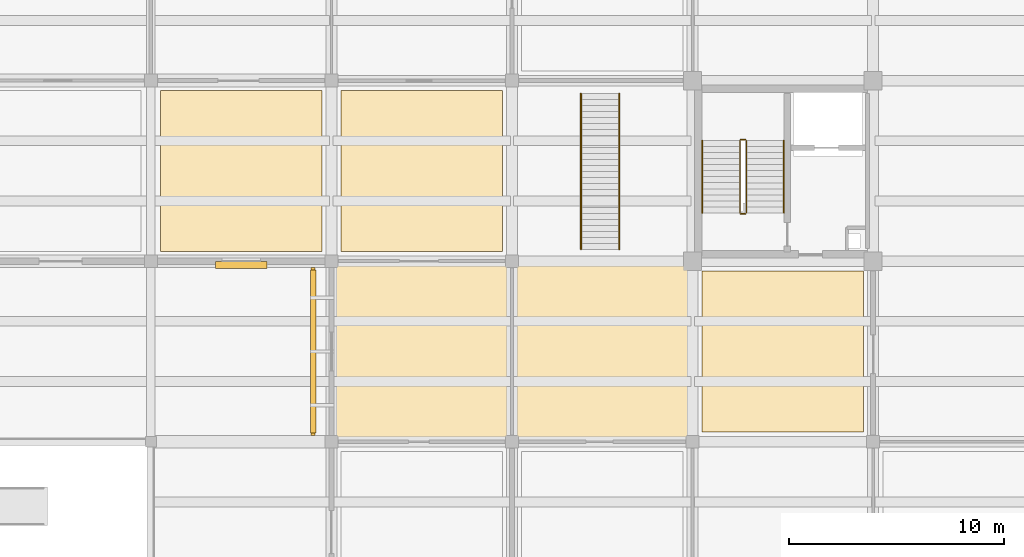
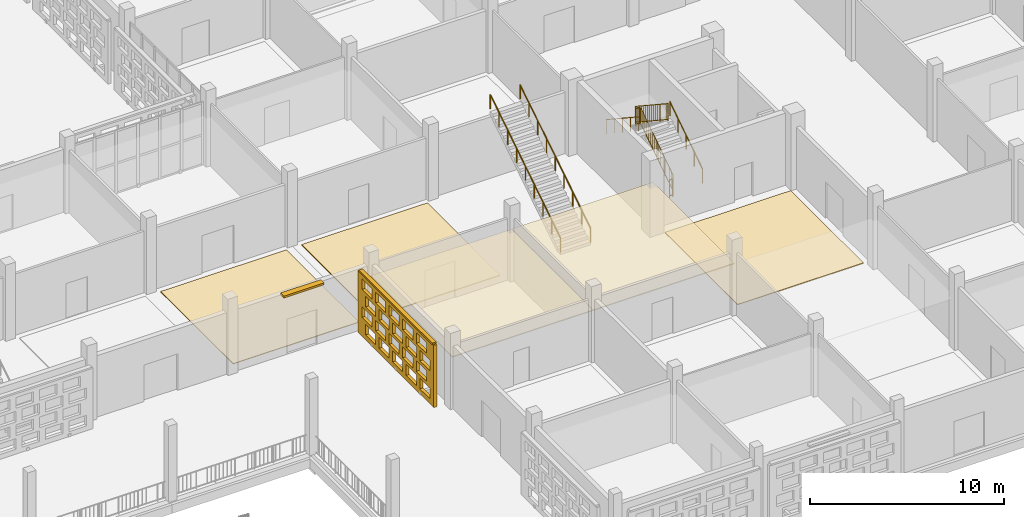
# One storey, part 112 of 129: 8 railings, 6 coverings, 2 shading devices, 20 openings.
"""IFC4 building model written with IfcOpenShell, lengths in metres."""

from ifc_helpers import new_model, si_unit, direction, frame, frame_2d, origin, origin_2d, place, context, subcontext, project, spatial, rectangle, circle, extrude, material, layer, layer_set, type_object, element, save


model = new_model("IFC4")

# Units and contexts
model_context = context("Model", 3, precision=1e-05, world=origin(), true_north=direction((0.0, 1.0)))
body_context = subcontext(model_context, "Body", "Model", "MODEL_VIEW")
ifc_project = project(units=[si_unit("LENGTHUNIT", "METRE"), si_unit("AREAUNIT", "SQUARE_METRE"), si_unit("VOLUMEUNIT", "CUBIC_METRE"), si_unit("PLANEANGLEUNIT", "RADIAN"), si_unit("MASSUNIT", "GRAM", prefix="KILO")], contexts=[model_context])

# Site, building, storey
site_placement = place(None, origin())
site = spatial("IfcSite", under=ifc_project, at=site_placement, CompositionType="ELEMENT")
building_placement = place(site_placement, origin())
building = spatial("IfcBuilding", under=site, at=building_placement, Name="Varnapada Polytechnic", CompositionType="ELEMENT")
storey_placement = place(building_placement, origin())
storey = spatial("IfcBuildingStorey", under=building, at=storey_placement, Name="L00", CompositionType="ELEMENT", Elevation=0.0)

# Coverings
ifc_material_1 = material(Name="End-Grain Timber Studio Block Flooring", Category="wood")
ifc_layer_1 = layer(ifc_material_1, 0.054931640625)
ifc_layer_set_1 = layer_set([ifc_layer_1], Name="End-Grain Timber Studio Block Flooring")
covering_type_1 = type_object("IfcCoveringType", Name="Floor Finish FLR-04", PredefinedType="FLOORING", material=ifc_layer_set_1)
covering_1_placement = place(storey_placement, frame((138.60009765625, 29.39990234375, 0.0), z_axis=(0.0, 0.0, 1.0), x_axis=(1.0, 0.0, 0.0)))
element("IfcCovering", 1, at=covering_1_placement, inside=storey, type_object=covering_type_1, Name="L00 floor finish panel (17,4)", PredefinedType="FLOORING", context=body_context, shape_type="SweptSolid", body=[
    extrude(rectangle(XDim=7.5, YDim=7.5, at=origin_2d()), origin(), (0.0, 0.0, 1.0), 0.054931640625),
])
ifc_material_2 = material(Name="Acoustic Rubber Seminar Flooring")
ifc_layer_2 = layer(ifc_material_2, 0.0400390625)
ifc_layer_set_2 = layer_set([ifc_layer_2], Name="Acoustic Rubber Seminar Flooring")
covering_type_2 = type_object("IfcCoveringType", Name="Floor Finish FLR-06", PredefinedType="FLOORING", material=ifc_layer_set_2)
for number, where, z_axis, x_axis, name in (
    (2, (130.199951171875, 29.39990234375, 0.0), (0.0, 0.0, 1.0), (1.0, 0.0, 0.0), "L00 floor finish panel (16,4)"),
    (3, (155.39990234375, 21.0, 0.0), (0.0, 0.0, 1.0), (1.0, 0.0, 0.0), "L00 floor finish panel (19,3)"),
):
    element("IfcCovering", number, at=place(storey_placement, frame(where, z_axis=z_axis, x_axis=x_axis)), inside=storey, type_object=covering_type_2, Name=name, PredefinedType="FLOORING", context=body_context, shape_type="SweptSolid", body=[
        extrude(rectangle(XDim=7.5, YDim=7.5, at=origin_2d()), origin(), (0.0, 0.0, 1.0), 0.0400390625),
    ])

# Shading device
ifc_material_3 = material(Name="Anodised aluminium", Category="aluminium")
ifc_layer_3 = layer(ifc_material_3, 0.35009765625)
ifc_layer_set_3 = layer_set([ifc_layer_3], Name="Anodised aluminium")
shading_device_type_1 = type_object("IfcShadingDeviceType", Name="Solar Louvre LVR-01", PredefinedType="JALOUSIE", material=ifc_layer_set_3)
shading_device_1_placement = place(storey_placement, frame((130.199951171875, 25.02001953125, 3.760009765625), z_axis=(0.0, 0.0, 1.0), x_axis=(-1.0, 0.0, 0.0)))
element("IfcShadingDevice", 4, at=shading_device_1_placement, inside=storey, type_object=shading_device_type_1, Name="L00 aluminium sun louvre 76", PredefinedType="JALOUSIE", context=body_context, shape_type="SweptSolid", body=[
    extrude(rectangle(XDim=2.39990234375, YDim=0.340087890625, at=origin_2d()), origin(), (0.0, 0.0, 1.0), 0.1201171875),
])

# Railings
ifc_material_4 = material(Name="Brushed Stainless Steel 316", Category="steel")
railing_type_1 = type_object("IfcRailingType", Name="Stair Wall Handrail SHR-01", PredefinedType="HANDRAIL", material=ifc_material_4)
railing_1_placement = place(storey_placement, frame((155.449951171875, 27.449951171875, 0.1845703125)))
element("IfcRailing", 5, at=railing_1_placement, inside=storey, type_object=railing_type_1, Name="L00 ST-6 stair handrail 1", PredefinedType="HANDRAIL", context=body_context, shape_type="SweptSolid", body=[
    extrude(circle(Radius=0.02392578125, at=origin_2d()), frame((0.0, 0.0, 0.8759765625), z_axis=(0.0, 0.834876476806, 0.550437342915), x_axis=(-1.0, 0.0, 0.0)), (0.0, 0.0, 1.0), 4.024658203125),
    extrude(circle(Radius=0.02099609375, at=origin_2d()), origin(), (0.0, 0.0, 1.0), 0.851806640625),
    extrude(circle(Radius=0.02099609375, at=origin_2d()), frame((0.0, 0.840087890625, 0.5537109375)), (0.0, 0.0, 1.0), 0.851806640625),
    extrude(circle(Radius=0.02099609375, at=origin_2d()), frame((0.0, 1.68017578125, 1.107666015625)), (0.0, 0.0, 1.0), 0.851806640625),
    extrude(circle(Radius=0.02099609375, at=origin_2d()), frame((0.0, 2.52001953125, 1.66162109375)), (0.0, 0.0, 1.0), 0.851806640625),
    extrude(circle(Radius=0.02099609375, at=origin_2d()), frame((0.0, 3.360107421875, 2.21533203125)), (0.0, 0.0, 1.0), 0.851806640625),
])
railing_2_placement = place(storey_placement, frame((151.64990234375, 30.81005859375, 2.584716796875)))
element("IfcRailing", 6, at=railing_2_placement, inside=storey, type_object=railing_type_1, Name="L00 ST-6 stair handrail 2", PredefinedType="HANDRAIL", context=body_context, shape_type="SweptSolid", body=[
    extrude(circle(Radius=0.02392578125, at=origin_2d()), frame((0.0, 0.0, 0.8759765625), z_axis=(0.0, -0.834876476806, 0.550437342915), x_axis=(1.0, 0.0, 0.0)), (0.0, 0.0, 1.0), 4.024658203125),
    extrude(circle(Radius=0.02099609375, at=origin_2d()), origin(), (0.0, 0.0, 1.0), 0.851806640625),
    extrude(circle(Radius=0.02099609375, at=origin_2d()), frame((0.0, -0.840087890625, 0.5537109375)), (0.0, 0.0, 1.0), 0.851806640625),
    extrude(circle(Radius=0.02099609375, at=origin_2d()), frame((0.0, -1.68017578125, 1.107666015625)), (0.0, 0.0, 1.0), 0.851806640625),
    extrude(circle(Radius=0.02099609375, at=origin_2d()), frame((0.0, -2.52001953125, 1.66162109375)), (0.0, 0.0, 1.0), 0.851806640625),
    extrude(circle(Radius=0.02099609375, at=origin_2d()), frame((0.0, -3.360107421875, 2.21533203125)), (0.0, 0.0, 1.0), 0.851806640625),
])
for number, where, name in (
    (7, (146.010009765625, 25.75, 0.177734375), "L00 commons stair ST-F2 handrail L"),
    (8, (147.7900390625, 25.75, 0.177734375), "L00 commons stair ST-F2 handrail R"),
):
    element("IfcRailing", number, at=place(storey_placement, frame(where)), inside=storey, type_object=railing_type_1, Name=name, PredefinedType="HANDRAIL", context=body_context, shape_type="SweptSolid", body=[
        extrude(circle(Radius=0.02392578125, at=origin_2d()), frame((0.0, 0.0, 0.8759765625), z_axis=(0.0, 0.84320402991, 0.537593679226), x_axis=(-1.0, 0.0, 0.0)), (0.0, 0.0, 1.0), 8.59814453125),
        extrude(circle(Radius=0.02099609375, at=origin_2d()), origin(), (0.0, 0.0, 1.0), 0.851806640625),
        extrude(circle(Radius=0.02099609375, at=origin_2d()), frame((0.0, 0.90625, 0.577880859375)), (0.0, 0.0, 1.0), 0.851806640625),
        extrude(circle(Radius=0.02099609375, at=origin_2d()), frame((0.0, 1.8125, 1.155517578125)), (0.0, 0.0, 1.0), 0.851806640625),
        extrude(circle(Radius=0.02099609375, at=origin_2d()), frame((0.0, 2.71875, 1.7333984375)), (0.0, 0.0, 1.0), 0.851806640625),
        extrude(circle(Radius=0.02099609375, at=origin_2d()), frame((0.0, 3.625, 2.31103515625)), (0.0, 0.0, 1.0), 0.851806640625),
        extrude(circle(Radius=0.02099609375, at=origin_2d()), frame((0.0, 4.53125, 2.888916015625)), (0.0, 0.0, 1.0), 0.851806640625),
        extrude(circle(Radius=0.02099609375, at=origin_2d()), frame((0.0, 5.4375, 3.466796875)), (0.0, 0.0, 1.0), 0.851806640625),
        extrude(circle(Radius=0.02099609375, at=origin_2d()), frame((0.0, 6.34375, 4.04443359375)), (0.0, 0.0, 1.0), 0.851806640625),
        extrude(circle(Radius=0.02099609375, at=origin_2d()), frame((0.0, 7.25, 4.622314453125)), (0.0, 0.0, 1.0), 0.851806640625),
    ])
railing_type_2 = type_object("IfcRailingType", Name="Stair Well Guard Rail SGR-01", PredefinedType="BALUSTRADE", material=ifc_material_4)
railing_3_placement = place(storey_placement, frame((153.699951171875, 27.449951171875, 0.1845703125)))
element("IfcRailing", 9, at=railing_3_placement, inside=storey, type_object=railing_type_2, Name="L00 ST-6 stair guard 1", PredefinedType="BALUSTRADE", context=body_context, shape_type="SweptSolid", body=[
    extrude(circle(Radius=0.02392578125, at=origin_2d()), frame((0.0, 0.0, 1.09619140625), z_axis=(0.0, 0.834876476806, 0.550437342915), x_axis=(-1.0, 0.0, 0.0)), (0.0, 0.0, 1.0), 4.024658203125),
    extrude(circle(Radius=0.02392578125, at=origin_2d()), frame((0.0, 0.0, 0.10009765625), z_axis=(0.0, 0.834876476806, 0.550437342915), x_axis=(-1.0, 0.0, 0.0)), (0.0, 0.0, 1.0), 4.024658203125),
    extrude(circle(Radius=0.02099609375, at=origin_2d()), origin(), (0.0, 0.0, 1.0), 1.072021484375),
    extrude(circle(Radius=0.02099609375, at=origin_2d()), frame((0.0, 0.840087890625, 0.5537109375)), (0.0, 0.0, 1.0), 1.072021484375),
    extrude(circle(Radius=0.02099609375, at=origin_2d()), frame((0.0, 1.68017578125, 1.107666015625)), (0.0, 0.0, 1.0), 1.072021484375),
    extrude(circle(Radius=0.02099609375, at=origin_2d()), frame((0.0, 2.52001953125, 1.66162109375)), (0.0, 0.0, 1.0), 1.072021484375),
    extrude(circle(Radius=0.02099609375, at=origin_2d()), frame((0.0, 3.360107421875, 2.21533203125)), (0.0, 0.0, 1.0), 1.072021484375),
    extrude(circle(Radius=0.010009765625, at=origin_2d()), frame((0.0, 0.2099609375, 0.238525390625)), (0.0, 0.0, 1.0), 0.971923828125),
    extrude(circle(Radius=0.010009765625, at=origin_2d()), frame((0.0, 0.419921875, 0.376953125)), (0.0, 0.0, 1.0), 0.971923828125),
    extrude(circle(Radius=0.010009765625, at=origin_2d()), frame((0.0, 0.630126953125, 0.515380859375)), (0.0, 0.0, 1.0), 0.971923828125),
    extrude(circle(Radius=0.010009765625, at=origin_2d()), frame((0.0, 0.840087890625, 0.65380859375)), (0.0, 0.0, 1.0), 0.971923828125),
    extrude(circle(Radius=0.010009765625, at=origin_2d()), frame((0.0, 1.050048828125, 0.79248046875)), (0.0, 0.0, 1.0), 0.971923828125),
    extrude(circle(Radius=0.010009765625, at=origin_2d()), frame((0.0, 1.260009765625, 0.930908203125)), (0.0, 0.0, 1.0), 0.971923828125),
    extrude(circle(Radius=0.010009765625, at=origin_2d()), frame((0.0, 1.469970703125, 1.0693359375)), (0.0, 0.0, 1.0), 0.971923828125),
    extrude(circle(Radius=0.010009765625, at=origin_2d()), frame((0.0, 1.68017578125, 1.207763671875)), (0.0, 0.0, 1.0), 0.971923828125),
    extrude(circle(Radius=0.010009765625, at=origin_2d()), frame((0.0, 1.89013671875, 1.34619140625)), (0.0, 0.0, 1.0), 0.971923828125),
    extrude(circle(Radius=0.010009765625, at=origin_2d()), frame((0.0, 2.10009765625, 1.484619140625)), (0.0, 0.0, 1.0), 0.971923828125),
    extrude(circle(Radius=0.010009765625, at=origin_2d()), frame((0.0, 2.31005859375, 1.623046875)), (0.0, 0.0, 1.0), 0.971923828125),
    extrude(circle(Radius=0.010009765625, at=origin_2d()), frame((0.0, 2.52001953125, 1.76171875)), (0.0, 0.0, 1.0), 0.971923828125),
    extrude(circle(Radius=0.010009765625, at=origin_2d()), frame((0.0, 2.72998046875, 1.900146484375)), (0.0, 0.0, 1.0), 0.971923828125),
    extrude(circle(Radius=0.010009765625, at=origin_2d()), frame((0.0, 2.940185546875, 2.03857421875)), (0.0, 0.0, 1.0), 0.971923828125),
    extrude(circle(Radius=0.010009765625, at=origin_2d()), frame((0.0, 3.150146484375, 2.177001953125)), (0.0, 0.0, 1.0), 0.971923828125),
])
railing_4_placement = place(storey_placement, frame((153.64990234375, 30.860107421875, 2.39990234375)))
element("IfcRailing", 10, at=railing_4_placement, inside=storey, type_object=railing_type_2, Name="L00 ST-6 stair guard 2", PredefinedType="BALUSTRADE", context=body_context, shape_type="SweptSolid", body=[
    extrude(circle(Radius=0.02392578125, at=origin_2d()), frame((0.0, 0.0, 1.09619140625), z_axis=(-1.0, 0.0, 0.0), x_axis=(0.0, -1.0, 0.0)), (0.0, 0.0, 1.0), 0.199951171875),
    extrude(circle(Radius=0.02392578125, at=origin_2d()), frame((0.0, 0.0, 0.10009765625), z_axis=(-1.0, 0.0, 0.0), x_axis=(0.0, -1.0, 0.0)), (0.0, 0.0, 1.0), 0.199951171875),
    extrude(circle(Radius=0.02099609375, at=origin_2d()), origin(), (0.0, 0.0, 1.0), 1.072021484375),
    extrude(circle(Radius=0.02099609375, at=origin_2d()), frame((-0.199951171875, 0.0, 0.0)), (0.0, 0.0, 1.0), 1.072021484375),
])
railing_5_placement = place(storey_placement, frame((153.39990234375, 30.81005859375, 2.584716796875)))
element("IfcRailing", 11, at=railing_5_placement, inside=storey, type_object=railing_type_2, Name="L00 ST-6 stair guard 3", PredefinedType="BALUSTRADE", context=body_context, shape_type="SweptSolid", body=[
    extrude(circle(Radius=0.02392578125, at=origin_2d()), frame((0.0, 0.0, 1.09619140625), z_axis=(0.0, -0.834876476806, 0.550437342915), x_axis=(1.0, 0.0, 0.0)), (0.0, 0.0, 1.0), 4.024658203125),
    extrude(circle(Radius=0.02392578125, at=origin_2d()), frame((0.0, 0.0, 0.10009765625), z_axis=(0.0, -0.834876476806, 0.550437342915), x_axis=(1.0, 0.0, 0.0)), (0.0, 0.0, 1.0), 4.024658203125),
    extrude(circle(Radius=0.02099609375, at=origin_2d()), origin(), (0.0, 0.0, 1.0), 1.072021484375),
    extrude(circle(Radius=0.02099609375, at=origin_2d()), frame((0.0, -0.840087890625, 0.5537109375)), (0.0, 0.0, 1.0), 1.072021484375),
    extrude(circle(Radius=0.02099609375, at=origin_2d()), frame((0.0, -1.68017578125, 1.107666015625)), (0.0, 0.0, 1.0), 1.072021484375),
    extrude(circle(Radius=0.02099609375, at=origin_2d()), frame((0.0, -2.52001953125, 1.66162109375)), (0.0, 0.0, 1.0), 1.072021484375),
    extrude(circle(Radius=0.02099609375, at=origin_2d()), frame((0.0, -3.360107421875, 2.21533203125)), (0.0, 0.0, 1.0), 1.072021484375),
    extrude(circle(Radius=0.010009765625, at=origin_2d()), frame((0.0, -0.2099609375, 0.238525390625)), (0.0, 0.0, 1.0), 0.971923828125),
    extrude(circle(Radius=0.010009765625, at=origin_2d()), frame((0.0, -0.419921875, 0.376953125)), (0.0, 0.0, 1.0), 0.971923828125),
    extrude(circle(Radius=0.010009765625, at=origin_2d()), frame((0.0, -0.630126953125, 0.515380859375)), (0.0, 0.0, 1.0), 0.971923828125),
    extrude(circle(Radius=0.010009765625, at=origin_2d()), frame((0.0, -0.840087890625, 0.65380859375)), (0.0, 0.0, 1.0), 0.971923828125),
    extrude(circle(Radius=0.010009765625, at=origin_2d()), frame((0.0, -1.050048828125, 0.79248046875)), (0.0, 0.0, 1.0), 0.971923828125),
    extrude(circle(Radius=0.010009765625, at=origin_2d()), frame((0.0, -1.260009765625, 0.930908203125)), (0.0, 0.0, 1.0), 0.971923828125),
    extrude(circle(Radius=0.010009765625, at=origin_2d()), frame((0.0, -1.469970703125, 1.0693359375)), (0.0, 0.0, 1.0), 0.971923828125),
    extrude(circle(Radius=0.010009765625, at=origin_2d()), frame((0.0, -1.68017578125, 1.207763671875)), (0.0, 0.0, 1.0), 0.971923828125),
    extrude(circle(Radius=0.010009765625, at=origin_2d()), frame((0.0, -1.89013671875, 1.34619140625)), (0.0, 0.0, 1.0), 0.971923828125),
    extrude(circle(Radius=0.010009765625, at=origin_2d()), frame((0.0, -2.10009765625, 1.484619140625)), (0.0, 0.0, 1.0), 0.971923828125),
    extrude(circle(Radius=0.010009765625, at=origin_2d()), frame((0.0, -2.31005859375, 1.623046875)), (0.0, 0.0, 1.0), 0.971923828125),
    extrude(circle(Radius=0.010009765625, at=origin_2d()), frame((0.0, -2.52001953125, 1.76171875)), (0.0, 0.0, 1.0), 0.971923828125),
    extrude(circle(Radius=0.010009765625, at=origin_2d()), frame((0.0, -2.72998046875, 1.900146484375)), (0.0, 0.0, 1.0), 0.971923828125),
    extrude(circle(Radius=0.010009765625, at=origin_2d()), frame((0.0, -2.940185546875, 2.03857421875)), (0.0, 0.0, 1.0), 0.971923828125),
    extrude(circle(Radius=0.010009765625, at=origin_2d()), frame((0.0, -3.150146484375, 2.177001953125)), (0.0, 0.0, 1.0), 0.971923828125),
])
railing_6_placement = place(storey_placement, frame((153.64990234375, 27.39990234375, 0.0)))
element("IfcRailing", 12, at=railing_6_placement, inside=storey, type_object=railing_type_2, Name="L00 ST-6 stair guard 4", PredefinedType="BALUSTRADE", context=body_context, shape_type="SweptSolid", body=[
    extrude(circle(Radius=0.02392578125, at=origin_2d()), frame((0.0, 0.0, 1.09619140625), z_axis=(-1.0, 0.0, 0.0), x_axis=(0.0, -1.0, 0.0)), (0.0, 0.0, 1.0), 0.199951171875),
    extrude(circle(Radius=0.02392578125, at=origin_2d()), frame((0.0, 0.0, 0.10009765625), z_axis=(-1.0, 0.0, 0.0), x_axis=(0.0, -1.0, 0.0)), (0.0, 0.0, 1.0), 0.199951171875),
    extrude(circle(Radius=0.02099609375, at=origin_2d()), origin(), (0.0, 0.0, 1.0), 1.072021484375),
    extrude(circle(Radius=0.02099609375, at=origin_2d()), frame((-0.199951171875, 0.0, 0.0)), (0.0, 0.0, 1.0), 1.072021484375),
])

# Coverings
ifc_material_5 = material(Name="Slatted Merbau Timber Acoustic Ceiling", Category="wood")
ifc_layer_4 = layer(ifc_material_5, 0.054931640625)
ifc_layer_set_4 = layer_set([ifc_layer_4], Name="Slatted Merbau Timber Acoustic Ceiling")
covering_type_3 = type_object("IfcCoveringType", Name="Suspended Ceiling CLG-05", PredefinedType="CEILING", material=ifc_layer_set_4)
for number, where, z_axis, x_axis, name in (
    (13, (138.60009765625, 21.0, 3.0224609375), (0.0, 0.0, 1.0), (1.0, 0.0, 0.0), "L00 suspended acoustic ceiling (17,3)"),
    (14, (147.0, 21.0, 3.0224609375), (0.0, 0.0, 1.0), (1.0, 0.0, 0.0), "L00 suspended acoustic ceiling (18,3)"),
):
    element("IfcCovering", number, at=place(storey_placement, frame(where, z_axis=z_axis, x_axis=x_axis)), inside=storey, type_object=covering_type_3, Name=name, PredefinedType="CEILING", context=body_context, shape_type="SweptSolid", body=[
        extrude(rectangle(XDim=8.419921875, YDim=8.419921875, at=origin_2d()), origin(), (0.0, 0.0, 1.0), 0.054931640625),
    ])

# Covering, openings
ifc_material_6 = material(Name="Earth-toned architectural terracotta screen block", Category="masonry")
ifc_layer_5 = layer(ifc_material_6, 0.1201171875)
ifc_layer_set_5 = layer_set([ifc_layer_5], Name="Earth-toned architectural terracotta screen block")
covering_type_4 = type_object("IfcCoveringType", Name="Terracotta Screen Cladding CLD-01", PredefinedType="CLADDING", material=ifc_layer_set_5)
covering_2_placement = place(storey_placement, frame((133.550048828125, 17.10009765625, 0.0), z_axis=(0.0, 0.0, 1.0), x_axis=(0.0, 1.0, 0.0)))
covering_2 = element("IfcCovering", 15, at=covering_2_placement, inside=storey, type_object=covering_type_4, Name="L00 perforated terracotta block screen (84)", PredefinedType="CLADDING", context=body_context, shape_type="SweptSolid", body=[
    extrude(rectangle(XDim=7.7998046875, YDim=0.179931640625, at=frame_2d((3.89990234375, 0.0))), origin(), (0.0, 0.0, 1.0), 3.919921875),
])
opening_1_placement = place(covering_2_placement, frame((0.39990234375, 0.0, 0.313720703125)))
element("IfcOpeningElement", 16, at=opening_1_placement, cuts=covering_2, Name="Screen perforation TBS-L00-083.1", PredefinedType="OPENING", context=body_context, shape_type="SweptSolid", body=[
    extrude(rectangle(XDim=1.0400390625, YDim=0.679931640625, at=frame_2d((0.52001953125, 0.33984375))), frame((0.0, 0.099853515625, 0.0), z_axis=(0.0, -1.0, 0.0), x_axis=(1.0, 0.0, 0.0)), (0.0, 0.0, 1.0), 0.199951171875),
])
opening_2_placement = place(covering_2_placement, frame((1.800048828125, 0.0, 0.313720703125)))
element("IfcOpeningElement", 17, at=opening_2_placement, cuts=covering_2, Name="Screen perforation TBS-L00-083.2", PredefinedType="OPENING", context=body_context, shape_type="SweptSolid", body=[
    extrude(rectangle(XDim=1.0400390625, YDim=0.679931640625, at=frame_2d((0.52001953125, 0.33984375))), frame((0.0, 0.099853515625, 0.0), z_axis=(0.0, -1.0, 0.0), x_axis=(1.0, 0.0, 0.0)), (0.0, 0.0, 1.0), 0.199951171875),
])
opening_3_placement = place(covering_2_placement, frame((3.199951171875, 0.0, 0.313720703125)))
element("IfcOpeningElement", 18, at=opening_3_placement, cuts=covering_2, Name="Screen perforation TBS-L00-083.3", PredefinedType="OPENING", context=body_context, shape_type="SweptSolid", body=[
    extrude(rectangle(XDim=1.0400390625, YDim=0.679931640625, at=frame_2d((0.52001953125, 0.33984375))), frame((0.0, 0.099853515625, 0.0), z_axis=(0.0, -1.0, 0.0), x_axis=(1.0, 0.0, 0.0)), (0.0, 0.0, 1.0), 0.199951171875),
])
opening_4_placement = place(covering_2_placement, frame((4.60009765625, 0.0, 0.313720703125)))
element("IfcOpeningElement", 19, at=opening_4_placement, cuts=covering_2, Name="Screen perforation TBS-L00-083.4", PredefinedType="OPENING", context=body_context, shape_type="SweptSolid", body=[
    extrude(rectangle(XDim=1.0400390625, YDim=0.679931640625, at=frame_2d((0.52001953125, 0.33984375))), frame((0.0, 0.099853515625, 0.0), z_axis=(0.0, -1.0, 0.0), x_axis=(1.0, 0.0, 0.0)), (0.0, 0.0, 1.0), 0.199951171875),
])
opening_5_placement = place(covering_2_placement, frame((6.0, 0.0, 0.313720703125)))
element("IfcOpeningElement", 20, at=opening_5_placement, cuts=covering_2, Name="Screen perforation TBS-L00-083.5", PredefinedType="OPENING", context=body_context, shape_type="SweptSolid", body=[
    extrude(rectangle(XDim=1.0400390625, YDim=0.679931640625, at=frame_2d((0.52001953125, 0.33984375))), frame((0.0, 0.099853515625, 0.0), z_axis=(0.0, -1.0, 0.0), x_axis=(1.0, 0.0, 0.0)), (0.0, 0.0, 1.0), 0.199951171875),
])
opening_6_placement = place(covering_2_placement, frame((0.760009765625, 0.0, 1.195556640625)))
element("IfcOpeningElement", 21, at=opening_6_placement, cuts=covering_2, Name="Screen perforation TBS-L00-083.6", PredefinedType="OPENING", context=body_context, shape_type="SweptSolid", body=[
    extrude(rectangle(XDim=1.0400390625, YDim=0.679931640625, at=frame_2d((0.52001953125, 0.33984375))), frame((0.0, 0.099853515625, 0.0), z_axis=(0.0, -1.0, 0.0), x_axis=(1.0, 0.0, 0.0)), (0.0, 0.0, 1.0), 0.199951171875),
])
opening_7_placement = place(covering_2_placement, frame((2.159912109375, 0.0, 1.195556640625)))
element("IfcOpeningElement", 22, at=opening_7_placement, cuts=covering_2, Name="Screen perforation TBS-L00-083.7", PredefinedType="OPENING", context=body_context, shape_type="SweptSolid", body=[
    extrude(rectangle(XDim=1.0400390625, YDim=0.679931640625, at=frame_2d((0.52001953125, 0.33984375))), frame((0.0, 0.099853515625, 0.0), z_axis=(0.0, -1.0, 0.0), x_axis=(1.0, 0.0, 0.0)), (0.0, 0.0, 1.0), 0.199951171875),
])
opening_8_placement = place(covering_2_placement, frame((3.56005859375, 0.0, 1.195556640625)))
element("IfcOpeningElement", 23, at=opening_8_placement, cuts=covering_2, Name="Screen perforation TBS-L00-083.8", PredefinedType="OPENING", context=body_context, shape_type="SweptSolid", body=[
    extrude(rectangle(XDim=1.0400390625, YDim=0.679931640625, at=frame_2d((0.52001953125, 0.33984375))), frame((0.0, 0.099853515625, 0.0), z_axis=(0.0, -1.0, 0.0), x_axis=(1.0, 0.0, 0.0)), (0.0, 0.0, 1.0), 0.199951171875),
])
opening_9_placement = place(covering_2_placement, frame((4.9599609375, 0.0, 1.195556640625)))
element("IfcOpeningElement", 24, at=opening_9_placement, cuts=covering_2, Name="Screen perforation TBS-L00-083.9", PredefinedType="OPENING", context=body_context, shape_type="SweptSolid", body=[
    extrude(rectangle(XDim=1.0400390625, YDim=0.679931640625, at=frame_2d((0.52001953125, 0.33984375))), frame((0.0, 0.099853515625, 0.0), z_axis=(0.0, -1.0, 0.0), x_axis=(1.0, 0.0, 0.0)), (0.0, 0.0, 1.0), 0.199951171875),
])
opening_10_placement = place(covering_2_placement, frame((6.360107421875, 0.0, 1.195556640625)))
element("IfcOpeningElement", 25, at=opening_10_placement, cuts=covering_2, Name="Screen perforation TBS-L00-083.10", PredefinedType="OPENING", context=body_context, shape_type="SweptSolid", body=[
    extrude(rectangle(XDim=1.0400390625, YDim=0.679931640625, at=frame_2d((0.52001953125, 0.33984375))), frame((0.0, 0.099853515625, 0.0), z_axis=(0.0, -1.0, 0.0), x_axis=(1.0, 0.0, 0.0)), (0.0, 0.0, 1.0), 0.199951171875),
])
opening_11_placement = place(covering_2_placement, frame((0.39990234375, 0.0, 2.07763671875)))
element("IfcOpeningElement", 26, at=opening_11_placement, cuts=covering_2, Name="Screen perforation TBS-L00-083.11", PredefinedType="OPENING", context=body_context, shape_type="SweptSolid", body=[
    extrude(rectangle(XDim=1.0400390625, YDim=0.679931640625, at=frame_2d((0.52001953125, 0.33984375))), frame((0.0, 0.099853515625, 0.0), z_axis=(0.0, -1.0, 0.0), x_axis=(1.0, 0.0, 0.0)), (0.0, 0.0, 1.0), 0.199951171875),
])
opening_12_placement = place(covering_2_placement, frame((1.800048828125, 0.0, 2.07763671875)))
element("IfcOpeningElement", 27, at=opening_12_placement, cuts=covering_2, Name="Screen perforation TBS-L00-083.12", PredefinedType="OPENING", context=body_context, shape_type="SweptSolid", body=[
    extrude(rectangle(XDim=1.0400390625, YDim=0.679931640625, at=frame_2d((0.52001953125, 0.33984375))), frame((0.0, 0.099853515625, 0.0), z_axis=(0.0, -1.0, 0.0), x_axis=(1.0, 0.0, 0.0)), (0.0, 0.0, 1.0), 0.199951171875),
])
opening_13_placement = place(covering_2_placement, frame((3.199951171875, 0.0, 2.07763671875)))
element("IfcOpeningElement", 28, at=opening_13_placement, cuts=covering_2, Name="Screen perforation TBS-L00-083.13", PredefinedType="OPENING", context=body_context, shape_type="SweptSolid", body=[
    extrude(rectangle(XDim=1.0400390625, YDim=0.679931640625, at=frame_2d((0.52001953125, 0.33984375))), frame((0.0, 0.099853515625, 0.0), z_axis=(0.0, -1.0, 0.0), x_axis=(1.0, 0.0, 0.0)), (0.0, 0.0, 1.0), 0.199951171875),
])
opening_14_placement = place(covering_2_placement, frame((4.60009765625, 0.0, 2.07763671875)))
element("IfcOpeningElement", 29, at=opening_14_placement, cuts=covering_2, Name="Screen perforation TBS-L00-083.14", PredefinedType="OPENING", context=body_context, shape_type="SweptSolid", body=[
    extrude(rectangle(XDim=1.0400390625, YDim=0.679931640625, at=frame_2d((0.52001953125, 0.33984375))), frame((0.0, 0.099853515625, 0.0), z_axis=(0.0, -1.0, 0.0), x_axis=(1.0, 0.0, 0.0)), (0.0, 0.0, 1.0), 0.199951171875),
])
opening_15_placement = place(covering_2_placement, frame((6.0, 0.0, 2.07763671875)))
element("IfcOpeningElement", 30, at=opening_15_placement, cuts=covering_2, Name="Screen perforation TBS-L00-083.15", PredefinedType="OPENING", context=body_context, shape_type="SweptSolid", body=[
    extrude(rectangle(XDim=1.0400390625, YDim=0.679931640625, at=frame_2d((0.52001953125, 0.33984375))), frame((0.0, 0.099853515625, 0.0), z_axis=(0.0, -1.0, 0.0), x_axis=(1.0, 0.0, 0.0)), (0.0, 0.0, 1.0), 0.199951171875),
])
opening_16_placement = place(covering_2_placement, frame((0.760009765625, 0.0, 2.959716796875)))
element("IfcOpeningElement", 31, at=opening_16_placement, cuts=covering_2, Name="Screen perforation TBS-L00-083.16", PredefinedType="OPENING", context=body_context, shape_type="SweptSolid", body=[
    extrude(rectangle(XDim=1.0400390625, YDim=0.679931640625, at=frame_2d((0.52001953125, 0.33984375))), frame((0.0, 0.099853515625, 0.0), z_axis=(0.0, -1.0, 0.0), x_axis=(1.0, 0.0, 0.0)), (0.0, 0.0, 1.0), 0.199951171875),
])
opening_17_placement = place(covering_2_placement, frame((2.159912109375, 0.0, 2.959716796875)))
element("IfcOpeningElement", 32, at=opening_17_placement, cuts=covering_2, Name="Screen perforation TBS-L00-083.17", PredefinedType="OPENING", context=body_context, shape_type="SweptSolid", body=[
    extrude(rectangle(XDim=1.0400390625, YDim=0.679931640625, at=frame_2d((0.52001953125, 0.33984375))), frame((0.0, 0.099853515625, 0.0), z_axis=(0.0, -1.0, 0.0), x_axis=(1.0, 0.0, 0.0)), (0.0, 0.0, 1.0), 0.199951171875),
])
opening_18_placement = place(covering_2_placement, frame((3.56005859375, 0.0, 2.959716796875)))
element("IfcOpeningElement", 33, at=opening_18_placement, cuts=covering_2, Name="Screen perforation TBS-L00-083.18", PredefinedType="OPENING", context=body_context, shape_type="SweptSolid", body=[
    extrude(rectangle(XDim=1.0400390625, YDim=0.679931640625, at=frame_2d((0.52001953125, 0.33984375))), frame((0.0, 0.099853515625, 0.0), z_axis=(0.0, -1.0, 0.0), x_axis=(1.0, 0.0, 0.0)), (0.0, 0.0, 1.0), 0.199951171875),
])
opening_19_placement = place(covering_2_placement, frame((4.9599609375, 0.0, 2.959716796875)))
element("IfcOpeningElement", 34, at=opening_19_placement, cuts=covering_2, Name="Screen perforation TBS-L00-083.19", PredefinedType="OPENING", context=body_context, shape_type="SweptSolid", body=[
    extrude(rectangle(XDim=1.0400390625, YDim=0.679931640625, at=frame_2d((0.52001953125, 0.33984375))), frame((0.0, 0.099853515625, 0.0), z_axis=(0.0, -1.0, 0.0), x_axis=(1.0, 0.0, 0.0)), (0.0, 0.0, 1.0), 0.199951171875),
])
opening_20_placement = place(covering_2_placement, frame((6.360107421875, 0.0, 2.959716796875)))
element("IfcOpeningElement", 35, at=opening_20_placement, cuts=covering_2, Name="Screen perforation TBS-L00-083.20", PredefinedType="OPENING", context=body_context, shape_type="SweptSolid", body=[
    extrude(rectangle(XDim=1.0400390625, YDim=0.679931640625, at=frame_2d((0.52001953125, 0.33984375))), frame((0.0, 0.099853515625, 0.0), z_axis=(0.0, -1.0, 0.0), x_axis=(1.0, 0.0, 0.0)), (0.0, 0.0, 1.0), 0.199951171875),
])

# Shading device
ifc_layer_6 = layer(ifc_material_6, 0.179931640625)
ifc_layer_set_6 = layer_set([ifc_layer_6], Name="Earth-toned architectural terracotta screen block")
shading_device_type_2 = type_object("IfcShadingDeviceType", Name="Terracotta Screen SCR-02", PredefinedType="USERDEFINED", material=ifc_layer_set_6)
shading_device_2_placement = place(storey_placement, frame((133.550048828125, 21.0, 3.909912109375), z_axis=(0.0, 0.0, 1.0), x_axis=(0.0, 1.0, 0.0)))
element("IfcShadingDevice", 36, at=shading_device_2_placement, inside=storey, type_object=shading_device_type_2, Name="L00 perforated terracotta screen hood 57", ObjectType="SCREEN", PredefinedType="USERDEFINED", context=body_context, shape_type="SweptSolid", body=[
    extrude(rectangle(XDim=7.60009765625, YDim=0.239990234375, at=origin_2d()), origin(), (0.0, 0.0, 1.0), 0.10009765625),
])

save(model, "model.ifc")
